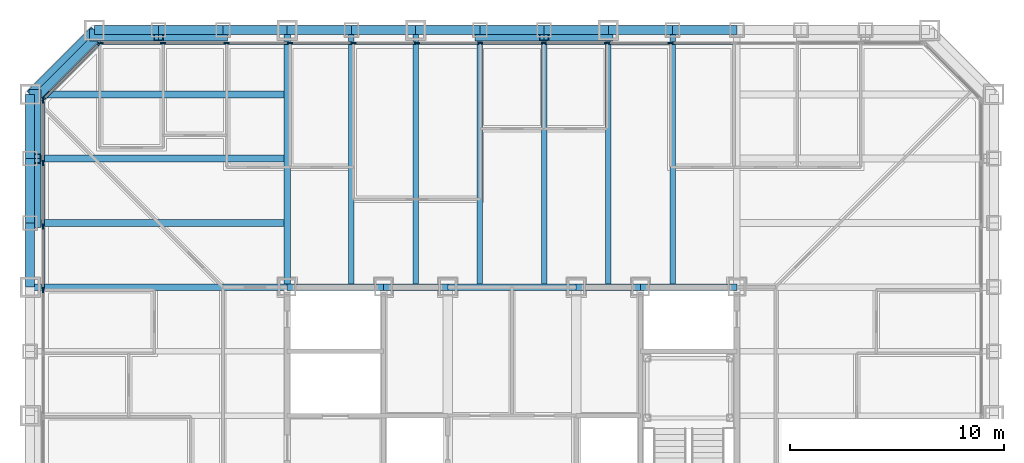
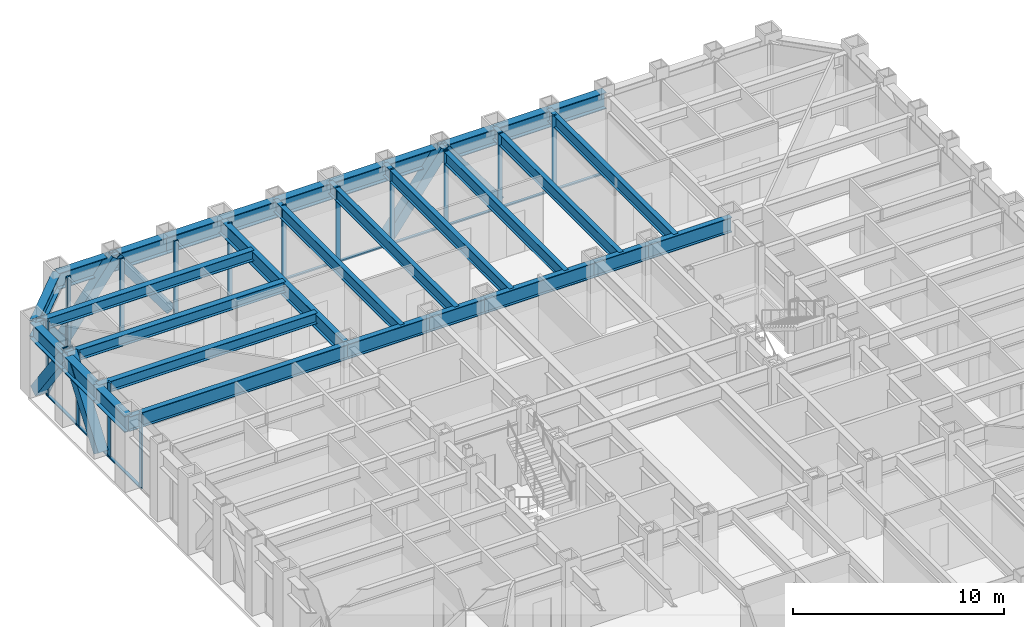
# One storey, part 5 of 17: 37 members, 30 beams, 3 elements without a shape of their own.
"""IFC4 building model written with IfcOpenShell, lengths in metres."""

import ifcopenshell
import ifcopenshell.guid

model = None  # the IFC model being written
_history = None  # IfcOwnerHistory: only IFC2X3 demands one
_inside = {}  # id of a spatial element -> (the spatial element, [elements in it])
_under = {}  # id of a project, library or spatial element -> (it, [spatial elements below it])
_declared = {}  # id of a project -> (the project, [libraries it declares])
_typed = {}  # id of a type object -> (the type object, [elements of that type])
_made_of = {}  # id of a material, layer set ... -> (it, [elements and type objects made of it])


def new_model(schema):
    """Start an empty IFC model of exactly this schema.

    Asked for "IFC4X3", IfcOpenShell would pick the latest addendum, in which some entities
    have other attributes; the version numbers below select the first issue.
    IFC2X3 requires an IfcOwnerHistory on every rooted entity: one is made here for all.
    """
    global model, _history
    if schema == "IFC4X3":
        model = ifcopenshell.file(schema_version=(4, 3, 0, 0))
    else:
        model = ifcopenshell.file(schema=schema)
    _inside.clear()
    _under.clear()
    _declared.clear()
    _typed.clear()
    _made_of.clear()
    _history = None
    if model.schema == "IFC2X3":
        org = make("IfcOrganization", Name="unknown")
        user = make(
            "IfcPersonAndOrganization",
            ThePerson=make("IfcPerson", FamilyName="unknown"),
            TheOrganization=org,
        )
        app = make(
            "IfcApplication",
            ApplicationDeveloper=org,
            Version="unknown",
            ApplicationFullName="unknown",
            ApplicationIdentifier="unknown",
        )
        _history = make(
            "IfcOwnerHistory",
            OwningUser=user,
            OwningApplication=app,
            ChangeAction="ADDED",
            CreationDate=0,
        )
    return model


def make(cls, **values):
    """One entity of the class cls with the attributes given. An attribute that is None is left unset."""
    return model.create_entity(
        cls, **{name: value for name, value in values.items() if value is not None}
    )


def rooted(cls, **values):
    """An entity with a GlobalId (a new one), such as an element, a storey or a relation."""
    return make(cls, GlobalId=ifcopenshell.guid.new(), OwnerHistory=_history, **values)


def si_unit(unit_type, name, prefix=None):
    """IfcSIUnit, for example si_unit("LENGTHUNIT", "METRE", prefix="MILLI")."""
    return make("IfcSIUnit", UnitType=unit_type, Prefix=prefix, Name=name)


def assignment(units):
    """IfcUnitAssignment: the units of a project."""
    return None if units is None else make("IfcUnitAssignment", Units=units)


def point(xyz):
    """IfcCartesianPoint."""
    return None if xyz is None else make("IfcCartesianPoint", Coordinates=xyz)


def direction(xyz):
    """IfcDirection."""
    return None if xyz is None else make("IfcDirection", DirectionRatios=xyz)


def frame(location, z_axis=None, x_axis=None):
    """IfcAxis2Placement3D, a coordinate frame: its origin and axes. An axis left out is left unset."""
    return make(
        "IfcAxis2Placement3D",
        Location=point(location),
        Axis=direction(z_axis),
        RefDirection=direction(x_axis),
    )


def frame_2d(location, x_axis=None):
    """IfcAxis2Placement2D, a coordinate frame in the plane: its origin and x axis."""
    return make(
        "IfcAxis2Placement2D", Location=point(location), RefDirection=direction(x_axis)
    )


def origin():
    """The frame at (0, 0, 0) with its axes left unset."""
    return frame((0.0, 0.0, 0.0))


def origin_2d():
    """The frame at (0, 0) in the plane with its x axis left unset."""
    return frame_2d((0.0, 0.0))


def place(relative_to, where):
    """IfcLocalPlacement: puts the frame where relative to a parent placement (None: the world)."""
    return make(
        "IfcLocalPlacement", PlacementRelTo=relative_to, RelativePlacement=where
    )


def context(
    kind, dimensions, precision=None, world=None, true_north=None, identifier=None
):
    """IfcGeometricRepresentationContext, for example the 3D "Model" context."""
    return make(
        "IfcGeometricRepresentationContext",
        ContextIdentifier=identifier,
        ContextType=kind,
        CoordinateSpaceDimension=dimensions,
        Precision=precision,
        WorldCoordinateSystem=world,
        TrueNorth=true_north,
    )


def subcontext(parent, identifier, kind, view, scale=None):
    """IfcGeometricRepresentationSubContext, for example "Body" below "Model"."""
    return make(
        "IfcGeometricRepresentationSubContext",
        ContextIdentifier=identifier,
        ContextType=kind,
        ParentContext=parent,
        TargetScale=scale,
        TargetView=view,
    )


def project(units=None, contexts=None):
    """IfcProject with its units and contexts."""
    return rooted(
        "IfcProject",
        Name="project",
        RepresentationContexts=contexts,
        UnitsInContext=assignment(units),
    )


def spatial(cls, under=None, at=None, **own):
    """A site, building, storey or space (cls), placed at a placement, below another one or the project."""
    s = rooted(cls, ObjectPlacement=at, **own)
    if under is not None:
        _under.setdefault(under.id(), (under, []))[1].append(s)
    return s


def profile(cls, at=None, kind="AREA", **sizes):
    """A parametric profile (cls). Its sizes go by their IFC names, for example OverallWidth=200.0."""
    return make(cls, ProfileType=kind, Position=at, **sizes)


def rectangle(**sizes):
    """IfcRectangleProfileDef."""
    return profile("IfcRectangleProfileDef", **sizes)


def hollow_rectangle(**sizes):
    """IfcRectangleHollowProfileDef."""
    return profile("IfcRectangleHollowProfileDef", **sizes)


def i_section(**sizes):
    """IfcIShapeProfileDef."""
    return profile("IfcIShapeProfileDef", **sizes)


def extrude(swept, where, along, depth):
    """IfcExtrudedAreaSolid: the profile swept, set in the frame where, extruded along a direction by depth."""
    return make(
        "IfcExtrudedAreaSolid",
        SweptArea=swept,
        Position=where,
        ExtrudedDirection=direction(along),
        Depth=depth,
    )


def shape(context_of_items, identifier, shape_type, items):
    """IfcShapeRepresentation: the items that make up one representation, for example the "Body"."""
    return make(
        "IfcShapeRepresentation",
        ContextOfItems=context_of_items,
        RepresentationIdentifier=identifier,
        RepresentationType=shape_type,
        Items=items,
    )


def material(Name=None, Category=None):
    """IfcMaterial."""
    return make("IfcMaterial", Name=Name, Category=Category)


def layer(
    of_material, thickness, ventilated=None, Name=None, Category=None, Priority=None
):
    """IfcMaterialLayer: one layer of a wall or slab, of a material (None: an air gap)."""
    return make(
        "IfcMaterialLayer",
        Material=of_material,
        LayerThickness=thickness,
        IsVentilated=ventilated,
        Name=Name,
        Category=Category,
        Priority=Priority,
    )


def layer_set(layers, Name=None):
    """IfcMaterialLayerSet."""
    return make("IfcMaterialLayerSet", MaterialLayers=layers, LayerSetName=Name)


def material_profile(
    of_material, cross_section, Name=None, Category=None, Priority=None
):
    """IfcMaterialProfile: a cross section and its material."""
    return make(
        "IfcMaterialProfile",
        Name=Name,
        Material=of_material,
        Profile=cross_section,
        Priority=Priority,
        Category=Category,
    )


def profile_set(profiles, Name=None, composite=None):
    """IfcMaterialProfileSet."""
    return make(
        "IfcMaterialProfileSet",
        Name=Name,
        MaterialProfiles=profiles,
        CompositeProfile=composite,
    )


def made_of(thing, what):
    """Note that an element or type object is made of a material, layer set ...; save() writes the relation."""
    if what is not None:
        _made_of.setdefault(what.id(), (what, []))[1].append(thing)
    return thing


def type_object(cls, material=None, **own):
    """A type object (cls), such as IfcWallType, which elements share."""
    return made_of(rooted(cls, **own), material)


def element(
    cls,
    number,
    at=None,
    inside=None,
    cuts=None,
    type_object=None,
    material=None,
    context=None,
    identifier="Body",
    shape_type=None,
    held_by="IfcProductDefinitionShape",
    body=None,
    shapes=None,
    **own,
):
    """One element of the class cls, such as IfcWall. Its Tag is "e" and its number.

    at: its placement. inside: the storey or other place that contains it. cuts: it is an
    opening in that element (IfcRelVoidsElement). A single representation is given by context,
    identifier, shape_type and body (its items); several are given by shapes. held_by: the class
    of the entity that holds the representations. save() writes the other relations.
    """
    e = rooted(cls, Tag="e%d" % number, ObjectPlacement=at, **own)
    if body is not None:
        shapes = [shape(context, identifier, shape_type, body)]
    if shapes is not None:
        e.Representation = make(held_by, Representations=shapes)
    if inside is not None:
        _inside.setdefault(inside.id(), (inside, []))[1].append(e)
    if cuts is not None:
        rooted(
            "IfcRelVoidsElement", RelatingBuildingElement=cuts, RelatedOpeningElement=e
        )
    if type_object is not None:
        _typed.setdefault(type_object.id(), (type_object, []))[1].append(e)
    return made_of(e, material)


def aggregate(whole, parts):
    """IfcRelAggregates: a whole, such as a stair, and the parts it consists of."""
    return rooted("IfcRelAggregates", RelatingObject=whole, RelatedObjects=parts)


def save(model, path):
    """Write the relations noted so far, then the file.

    IfcRelAggregates (storeys below a building ...), IfcRelContainedInSpatialStructure (elements
    in a storey), IfcRelDefinesByType, IfcRelAssociatesMaterial and IfcRelDeclares: one each for
    every whole, place, type object, material and project.
    """
    for whole, parts in _under.values():
        aggregate(whole, parts)
    for where, things in _inside.values():
        rooted(
            "IfcRelContainedInSpatialStructure",
            RelatedElements=things,
            RelatingStructure=where,
        )
    for kind, things in _typed.values():
        rooted("IfcRelDefinesByType", RelatedObjects=things, RelatingType=kind)
    for what, things in _made_of.values():
        rooted("IfcRelAssociatesMaterial", RelatedObjects=things, RelatingMaterial=what)
    for by, libraries in _declared.values():
        rooted("IfcRelDeclares", RelatingContext=by, RelatedDefinitions=libraries)
    model.write(path)


model = new_model("IFC4")

# Units and contexts
model_context = context("Model", 3, precision=1e-05, world=origin(), true_north=direction((0.0, 1.0)))
body_context = subcontext(model_context, "Body", "Model", "MODEL_VIEW")
ifc_project = project(units=[si_unit("LENGTHUNIT", "METRE"), si_unit("AREAUNIT", "SQUARE_METRE"), si_unit("VOLUMEUNIT", "CUBIC_METRE"), si_unit("PLANEANGLEUNIT", "RADIAN"), si_unit("MASSUNIT", "GRAM", prefix="KILO")], contexts=[model_context])

# Site, building, storey
site_placement = place(None, origin())
site = spatial("IfcSite", under=ifc_project, at=site_placement, CompositionType="ELEMENT")
building_placement = place(site_placement, origin())
building = spatial("IfcBuilding", under=site, at=building_placement, Name="Chuquiago Exchange Tower", CompositionType="ELEMENT")
storey_placement = place(building_placement, frame((0.0, 0.0, 46.800048828125)))
storey = spatial("IfcBuildingStorey", under=building, at=storey_placement, Name="L09", CompositionType="ELEMENT", Elevation=46.800048828125)

# Beams
ifc_material_1 = material(Name="Steel ASTM A992", Category="steel")
ifc_material_profile_1 = material_profile(ifc_material_1, i_section(OverallWidth=0.2919921875, OverallDepth=0.8583984375, WebThickness=0.01708984375, FlangeThickness=0.031005859375, at=origin_2d()), Name="W33X169")
ifc_profile_set_1 = profile_set([ifc_material_profile_1], Name="Steel ASTM A992")
beam_type_1 = type_object("IfcBeamType", Name="B3 W33X169", PredefinedType="BEAM", material=ifc_profile_set_1)
beam_1_placement = place(storey_placement, frame((12.0, 33.0, 3.610595703125), z_axis=(1.0, 0.0, 0.0), x_axis=(0.0, 1.0, 0.0)))
element("IfcBeam", 1, at=beam_1_placement, inside=storey, type_object=beam_type_1, Name="CB-L10-12_33-16.5_33", PredefinedType="BEAM", context=body_context, shape_type="SweptSolid", body=[
    extrude(i_section(OverallWidth=0.2919921875, OverallDepth=0.8583984375, WebThickness=0.01708984375, FlangeThickness=0.031005859375, at=origin_2d()), origin(), (0.0, 0.0, 1.0), 4.5),
])
beam_2_placement = place(storey_placement, frame((16.5, 33.0, 3.610595703125), z_axis=(1.0, 0.0, 0.0), x_axis=(0.0, 1.0, 0.0)))
element("IfcBeam", 2, at=beam_2_placement, inside=storey, type_object=beam_type_1, Name="CB-L10-16.5_33-19.5_33", PredefinedType="BEAM", context=body_context, shape_type="SweptSolid", body=[
    extrude(i_section(OverallWidth=0.2919921875, OverallDepth=0.8583984375, WebThickness=0.01708984375, FlangeThickness=0.031005859375, at=origin_2d()), origin(), (0.0, 0.0, 1.0), 3.0),
])
beam_3_placement = place(storey_placement, frame((19.5, 33.0, 3.610595703125), z_axis=(1.0, 0.0, 0.0), x_axis=(0.0, 1.0, 0.0)))
element("IfcBeam", 3, at=beam_3_placement, inside=storey, type_object=beam_type_1, Name="CB-L10-19.5_33-25.5_33", PredefinedType="BEAM", context=body_context, shape_type="SweptSolid", body=[
    extrude(i_section(OverallWidth=0.2919921875, OverallDepth=0.8583984375, WebThickness=0.01708984375, FlangeThickness=0.031005859375, at=origin_2d()), origin(), (0.0, 0.0, 1.0), 6.0),
])
beam_4_placement = place(storey_placement, frame((25.5, 33.0, 3.610595703125), z_axis=(1.0, 0.0, 0.0), x_axis=(0.0, 1.0, 0.0)))
element("IfcBeam", 4, at=beam_4_placement, inside=storey, type_object=beam_type_1, Name="CB-L10-25.5_33-28.5_33", PredefinedType="BEAM", context=body_context, shape_type="SweptSolid", body=[
    extrude(i_section(OverallWidth=0.2919921875, OverallDepth=0.8583984375, WebThickness=0.01708984375, FlangeThickness=0.031005859375, at=origin_2d()), origin(), (0.0, 0.0, 1.0), 3.0),
])
beam_5_placement = place(storey_placement, frame((28.5, 33.0, 3.610595703125), z_axis=(1.0, 0.0, 0.0), x_axis=(0.0, 1.0, 0.0)))
element("IfcBeam", 5, at=beam_5_placement, inside=storey, type_object=beam_type_1, Name="CB-L10-28.5_33-33_33", PredefinedType="BEAM", context=body_context, shape_type="SweptSolid", body=[
    extrude(i_section(OverallWidth=0.2919921875, OverallDepth=0.8583984375, WebThickness=0.01708984375, FlangeThickness=0.031005859375, at=origin_2d()), origin(), (0.0, 0.0, 1.0), 4.5),
])
ifc_material_2 = material(Name="Steel ASTM A992", Category="steel")
ifc_material_profile_2 = material_profile(ifc_material_2, i_section(OverallWidth=0.256591796875, OverallDepth=0.693359375, WebThickness=0.014404296875, FlangeThickness=0.023681640625, at=origin_2d()), Name="W27X114")
ifc_profile_set_2 = profile_set([ifc_material_profile_2], Name="Steel ASTM A992")
beam_type_2 = type_object("IfcBeamType", Name="B4 W27X114", PredefinedType="BEAM", material=ifc_profile_set_2)
for number, where, z_axis, x_axis, name in (
    (6, (15.0, 33.0, 3.693359375), (0.0, 1.0, 0.0), (-1.0, 0.0, 0.0), "FB-L10-infill-15_33-15_45-0"),
    (7, (18.0, 33.0, 3.693359375), (0.0, 1.0, 0.0), (-1.0, 0.0, 0.0), "FB-L10-infill-18_33-18_45-0"),
    (8, (21.0, 33.0, 3.693359375), (0.0, 1.0, 0.0), (-1.0, 0.0, 0.0), "FB-L10-infill-21_33-21_45-0"),
    (9, (24.0, 33.0, 3.693359375), (0.0, 1.0, 0.0), (-1.0, 0.0, 0.0), "FB-L10-infill-24_33-24_45-0"),
    (10, (27.0, 33.0, 3.693359375), (0.0, 1.0, 0.0), (-1.0, 0.0, 0.0), "FB-L10-infill-27_33-27_45-0"),
    (11, (30.0, 33.0, 3.693359375), (0.0, 1.0, 0.0), (-1.0, 0.0, 0.0), "FB-L10-infill-30_33-30_45-0"),
):
    element("IfcBeam", number, at=place(storey_placement, frame(where, z_axis=z_axis, x_axis=x_axis)), inside=storey, type_object=beam_type_2, Name=name, PredefinedType="BEAM", context=body_context, shape_type="SweptSolid", body=[
        extrude(i_section(OverallWidth=0.256591796875, OverallDepth=0.693359375, WebThickness=0.014404296875, FlangeThickness=0.023681640625, at=origin_2d()), origin(), (0.0, 0.0, 1.0), 12.0),
    ])
ifc_material_3 = material(Name="Steel ASTM A992", Category="steel")
ifc_material_profile_3 = material_profile(ifc_material_3, i_section(OverallWidth=0.3251953125, OverallDepth=0.6171875, WebThickness=0.013916015625, FlangeThickness=0.021484375, at=origin_2d()), Name="W24X117")
ifc_profile_set_3 = profile_set([ifc_material_profile_3], Name="Steel ASTM A992")
beam_type_3 = type_object("IfcBeamType", Name="B5 W24X117", PredefinedType="BEAM", material=ifc_profile_set_3)
for number, where, z_axis, x_axis, name in (
    (12, (12.0, 36.0, 3.7314453125), (-1.0, 0.0, 0.0), (0.0, -1.0, 0.0), "FB-L10-corner-12_36--0_36-0"),
    (13, (12.0, 39.0, 3.7314453125), (-1.0, 0.0, 0.0), (0.0, -1.0, 0.0), "FB-L10-corner-12_39--0_39-0"),
    (14, (12.0, 42.0, 3.7314453125), (-1.0, 0.0, 0.0), (0.0, -1.0, 0.0), "FB-L10-corner-12_42--0_42-0"),
):
    element("IfcBeam", number, at=place(storey_placement, frame(where, z_axis=z_axis, x_axis=x_axis)), inside=storey, type_object=beam_type_3, Name=name, PredefinedType="BEAM", context=body_context, shape_type="SweptSolid", body=[
        extrude(i_section(OverallWidth=0.3251953125, OverallDepth=0.6171875, WebThickness=0.013916015625, FlangeThickness=0.021484375, at=origin_2d()), origin(), (0.0, 0.0, 1.0), 12.0),
    ])

# Curtain wall, members
ifc_material_4 = material(Name="Aluminium curtain wall system", Category="aluminium")
ifc_layer_1 = layer(ifc_material_4, 0.25)
ifc_layer_set_1 = layer_set([ifc_layer_1], Name="CW1 trading floor curtain wall")
curtain_wall_type_1 = type_object("IfcCurtainWallType", Name="CW1 trading floor curtain wall", PredefinedType="NOTDEFINED", material=ifc_layer_set_1)
curtain_wall_1_placement = place(storey_placement, origin())
curtain_wall_1 = element("IfcCurtainWall", 15, at=curtain_wall_1_placement, inside=storey, type_object=curtain_wall_type_1, Name="CW1 curtain wall L09", PredefinedType="NOTDEFINED")
ifc_material_5 = material(Name="Aluminium mullion, pale anodised", Category="aluminium")
ifc_material_profile_4 = material_profile(ifc_material_5, rectangle(XDim=0.074951171875, YDim=0.25, at=origin_2d()), Name="AL 75x250")
ifc_profile_set_4 = profile_set([ifc_material_profile_4], Name="Aluminium mullion, pale anodised")
member_type_1 = type_object("IfcMemberType", Name="CW1-M mullion 75x250", PredefinedType="MULLION", material=ifc_profile_set_4)
member_1_placement = place(storey_placement, frame((29.904541015625, 44.39990234375, -0.300048828125), z_axis=(0.0, 0.0, 1.0), x_axis=(0.0, -1.0, 0.0)))
member_1 = element("IfcMember", 16, at=member_1_placement, type_object=member_type_1, Name="CW1 mullion 5", PredefinedType="MULLION", context=body_context, shape_type="SweptSolid", body=[
    extrude(rectangle(XDim=0.074951171875, YDim=0.25, at=origin_2d()), origin(), (0.0, 0.0, 1.0), 4.340087890625),
])
member_2_placement = place(storey_placement, frame((26.942626953125, 44.39990234375, -0.300048828125), z_axis=(0.0, 0.0, 1.0), x_axis=(0.0, -1.0, 0.0)))
member_2 = element("IfcMember", 17, at=member_2_placement, type_object=member_type_1, Name="CW1 mullion 6", PredefinedType="MULLION", context=body_context, shape_type="SweptSolid", body=[
    extrude(rectangle(XDim=0.074951171875, YDim=0.25, at=origin_2d()), origin(), (0.0, 0.0, 1.0), 4.340087890625),
])
member_3_placement = place(storey_placement, frame((23.98095703125, 44.39990234375, -0.300048828125), z_axis=(0.0, 0.0, 1.0), x_axis=(0.0, -1.0, 0.0)))
member_3 = element("IfcMember", 18, at=member_3_placement, type_object=member_type_1, Name="CW1 mullion 7", PredefinedType="MULLION", context=body_context, shape_type="SweptSolid", body=[
    extrude(rectangle(XDim=0.074951171875, YDim=0.25, at=origin_2d()), origin(), (0.0, 0.0, 1.0), 4.340087890625),
])
member_4_placement = place(storey_placement, frame((21.01904296875, 44.39990234375, -0.300048828125), z_axis=(0.0, 0.0, 1.0), x_axis=(0.0, -1.0, 0.0)))
member_4 = element("IfcMember", 19, at=member_4_placement, type_object=member_type_1, Name="CW1 mullion 8", PredefinedType="MULLION", context=body_context, shape_type="SweptSolid", body=[
    extrude(rectangle(XDim=0.074951171875, YDim=0.25, at=origin_2d()), origin(), (0.0, 0.0, 1.0), 4.340087890625),
])
member_5_placement = place(storey_placement, frame((18.057373046875, 44.39990234375, -0.300048828125), z_axis=(0.0, 0.0, 1.0), x_axis=(0.0, -1.0, 0.0)))
member_5 = element("IfcMember", 20, at=member_5_placement, type_object=member_type_1, Name="CW1 mullion 9", PredefinedType="MULLION", context=body_context, shape_type="SweptSolid", body=[
    extrude(rectangle(XDim=0.074951171875, YDim=0.25, at=origin_2d()), origin(), (0.0, 0.0, 1.0), 4.340087890625),
])
member_6_placement = place(storey_placement, frame((15.095458984375, 44.39990234375, -0.300048828125), z_axis=(0.0, 0.0, 1.0), x_axis=(0.0, -1.0, 0.0)))
member_6 = element("IfcMember", 21, at=member_6_placement, type_object=member_type_1, Name="CW1 mullion 10", PredefinedType="MULLION", context=body_context, shape_type="SweptSolid", body=[
    extrude(rectangle(XDim=0.074951171875, YDim=0.25, at=origin_2d()), origin(), (0.0, 0.0, 1.0), 4.340087890625),
])
member_7_placement = place(storey_placement, frame((12.1337890625, 44.39990234375, -0.300048828125), z_axis=(0.0, 0.0, 1.0), x_axis=(0.0, -1.0, 0.0)))
member_7 = element("IfcMember", 22, at=member_7_placement, type_object=member_type_1, Name="CW1 mullion 11", PredefinedType="MULLION", context=body_context, shape_type="SweptSolid", body=[
    extrude(rectangle(XDim=0.074951171875, YDim=0.25, at=origin_2d()), origin(), (0.0, 0.0, 1.0), 4.340087890625),
])
member_8_placement = place(storey_placement, frame((9.172119140625, 44.39990234375, -0.300048828125), z_axis=(0.0, 0.0, 1.0), x_axis=(0.0, -1.0, 0.0)))
member_8 = element("IfcMember", 23, at=member_8_placement, type_object=member_type_1, Name="CW1 mullion 12", PredefinedType="MULLION", context=body_context, shape_type="SweptSolid", body=[
    extrude(rectangle(XDim=0.074951171875, YDim=0.25, at=origin_2d()), origin(), (0.0, 0.0, 1.0), 4.340087890625),
])
member_9_placement = place(storey_placement, frame((6.210205078125, 44.39990234375, -0.300048828125), z_axis=(0.0, 0.0, 1.0), x_axis=(0.0, -1.0, 0.0)))
member_9 = element("IfcMember", 24, at=member_9_placement, type_object=member_type_1, Name="CW1 mullion 13", PredefinedType="MULLION", context=body_context, shape_type="SweptSolid", body=[
    extrude(rectangle(XDim=0.074951171875, YDim=0.25, at=origin_2d()), origin(), (0.0, 0.0, 1.0), 4.340087890625),
])
member_10_placement = place(storey_placement, frame((3.285888671875, 44.39990234375, -0.300048828125), z_axis=(0.0, 0.0, 1.0), x_axis=(0.0, -1.0, 0.0)))
member_10 = element("IfcMember", 25, at=member_10_placement, type_object=member_type_1, Name="CW1 mullion 14", PredefinedType="MULLION", context=body_context, shape_type="SweptSolid", body=[
    extrude(rectangle(XDim=0.074951171875, YDim=0.25, at=origin_2d()), origin(), (0.0, 0.0, 1.0), 4.340087890625),
])

curtain_wall_2_placement = place(storey_placement, origin())
curtain_wall_2 = element("IfcCurtainWall", 26, at=curtain_wall_2_placement, inside=storey, type_object=curtain_wall_type_1, Name="CW1 curtain wall L09", PredefinedType="NOTDEFINED")
member_11_placement = place(storey_placement, frame((0.60009765625, 41.714111328125, -0.300048828125), z_axis=(0.0, 0.0, 1.0), x_axis=(1.0, 0.0, 0.0)))
member_11 = element("IfcMember", 27, at=member_11_placement, type_object=member_type_1, Name="CW1 mullion 1", PredefinedType="MULLION", context=body_context, shape_type="SweptSolid", body=[
    extrude(rectangle(XDim=0.074951171875, YDim=0.25, at=origin_2d()), origin(), (0.0, 0.0, 1.0), 4.340087890625),
])
member_12_placement = place(storey_placement, frame((0.60009765625, 38.789794921875, -0.300048828125), z_axis=(0.0, 0.0, 1.0), x_axis=(1.0, 0.0, 0.0)))
member_12 = element("IfcMember", 28, at=member_12_placement, type_object=member_type_1, Name="CW1 mullion 2", PredefinedType="MULLION", context=body_context, shape_type="SweptSolid", body=[
    extrude(rectangle(XDim=0.074951171875, YDim=0.25, at=origin_2d()), origin(), (0.0, 0.0, 1.0), 4.340087890625),
])
member_13_placement = place(storey_placement, frame((0.60009765625, 35.827880859375, -0.300048828125), z_axis=(0.0, 0.0, 1.0), x_axis=(1.0, 0.0, 0.0)))
member_13 = element("IfcMember", 29, at=member_13_placement, type_object=member_type_1, Name="CW1 mullion 3", PredefinedType="MULLION", context=body_context, shape_type="SweptSolid", body=[
    extrude(rectangle(XDim=0.074951171875, YDim=0.25, at=origin_2d()), origin(), (0.0, 0.0, 1.0), 4.340087890625),
])
member_14_placement = place(storey_placement, frame((0.60009765625, 32.8662109375, -0.300048828125), z_axis=(0.0, 0.0, 1.0), x_axis=(1.0, 0.0, 0.0)))
member_14 = element("IfcMember", 30, at=member_14_placement, type_object=member_type_1, Name="CW1 mullion 4", PredefinedType="MULLION", context=body_context, shape_type="SweptSolid", body=[
    extrude(rectangle(XDim=0.074951171875, YDim=0.25, at=origin_2d()), origin(), (0.0, 0.0, 1.0), 4.340087890625),
])

# Member
ifc_material_6 = material(Name="Aluminium transom, pale anodised", Category="aluminium")
ifc_material_profile_5 = material_profile(ifc_material_6, rectangle(XDim=0.14990234375, YDim=0.074951171875, at=origin_2d()), Name="AL 150x75")
ifc_profile_set_5 = profile_set([ifc_material_profile_5], Name="Aluminium transom, pale anodised")
member_type_2 = type_object("IfcMemberType", Name="CW1-T transom 75x150", PredefinedType="MULLION", material=ifc_profile_set_5)
member_15_placement = place(storey_placement, frame((32.82861328125, 44.39990234375, -0.262451171875), z_axis=(-1.0, 0.0, 0.0), x_axis=(0.0, -1.0, 0.0)))
member_15 = element("IfcMember", 31, at=member_15_placement, type_object=member_type_2, Name="CW1 transom 4.1", PredefinedType="MULLION", context=body_context, shape_type="SweptSolid", body=[
    extrude(rectangle(XDim=0.14990234375, YDim=0.074951171875, at=origin_2d()), origin(), (0.0, 0.0, 1.0), 2.88671875),
])

member_16_placement = place(storey_placement, frame((29.866943359375, 44.39990234375, -0.262451171875), z_axis=(-1.0, 0.0, 0.0), x_axis=(0.0, -1.0, 0.0)))
member_16 = element("IfcMember", 32, at=member_16_placement, type_object=member_type_2, Name="CW1 transom 5.1", PredefinedType="MULLION", context=body_context, shape_type="SweptSolid", body=[
    extrude(rectangle(XDim=0.14990234375, YDim=0.074951171875, at=origin_2d()), origin(), (0.0, 0.0, 1.0), 2.88671875),
])

member_17_placement = place(storey_placement, frame((26.9052734375, 44.39990234375, -0.262451171875), z_axis=(-1.0, 0.0, 0.0), x_axis=(0.0, -1.0, 0.0)))
member_17 = element("IfcMember", 33, at=member_17_placement, type_object=member_type_2, Name="CW1 transom 6.1", PredefinedType="MULLION", context=body_context, shape_type="SweptSolid", body=[
    extrude(rectangle(XDim=0.14990234375, YDim=0.074951171875, at=origin_2d()), origin(), (0.0, 0.0, 1.0), 2.886962890625),
])

member_18_placement = place(storey_placement, frame((23.943359375, 44.39990234375, -0.262451171875), z_axis=(-1.0, 0.0, 0.0), x_axis=(0.0, -1.0, 0.0)))
member_18 = element("IfcMember", 34, at=member_18_placement, type_object=member_type_2, Name="CW1 transom 7.1", PredefinedType="MULLION", context=body_context, shape_type="SweptSolid", body=[
    extrude(rectangle(XDim=0.14990234375, YDim=0.074951171875, at=origin_2d()), origin(), (0.0, 0.0, 1.0), 2.88671875),
])

member_19_placement = place(storey_placement, frame((20.981689453125, 44.39990234375, -0.262451171875), z_axis=(-1.0, 0.0, 0.0), x_axis=(0.0, -1.0, 0.0)))
member_19 = element("IfcMember", 35, at=member_19_placement, type_object=member_type_2, Name="CW1 transom 8.1", PredefinedType="MULLION", context=body_context, shape_type="SweptSolid", body=[
    extrude(rectangle(XDim=0.14990234375, YDim=0.074951171875, at=origin_2d()), origin(), (0.0, 0.0, 1.0), 2.886962890625),
])

member_20_placement = place(storey_placement, frame((18.019775390625, 44.39990234375, -0.262451171875), z_axis=(-1.0, 0.0, 0.0), x_axis=(0.0, -1.0, 0.0)))
member_20 = element("IfcMember", 36, at=member_20_placement, type_object=member_type_2, Name="CW1 transom 9.1", PredefinedType="MULLION", context=body_context, shape_type="SweptSolid", body=[
    extrude(rectangle(XDim=0.14990234375, YDim=0.074951171875, at=origin_2d()), origin(), (0.0, 0.0, 1.0), 2.88671875),
])

member_21_placement = place(storey_placement, frame((15.05810546875, 44.39990234375, -0.262451171875), z_axis=(-1.0, 0.0, 0.0), x_axis=(0.0, -1.0, 0.0)))
member_21 = element("IfcMember", 37, at=member_21_placement, type_object=member_type_2, Name="CW1 transom 10.1", PredefinedType="MULLION", context=body_context, shape_type="SweptSolid", body=[
    extrude(rectangle(XDim=0.14990234375, YDim=0.074951171875, at=origin_2d()), origin(), (0.0, 0.0, 1.0), 2.88671875),
])

member_22_placement = place(storey_placement, frame((12.09619140625, 44.39990234375, -0.262451171875), z_axis=(-1.0, 0.0, 0.0), x_axis=(0.0, -1.0, 0.0)))
member_22 = element("IfcMember", 38, at=member_22_placement, type_object=member_type_2, Name="CW1 transom 11.1", PredefinedType="MULLION", context=body_context, shape_type="SweptSolid", body=[
    extrude(rectangle(XDim=0.14990234375, YDim=0.074951171875, at=origin_2d()), origin(), (0.0, 0.0, 1.0), 2.88671875),
])

member_23_placement = place(storey_placement, frame((9.134521484375, 44.39990234375, -0.262451171875), z_axis=(-1.0, 0.0, 0.0), x_axis=(0.0, -1.0, 0.0)))
member_23 = element("IfcMember", 39, at=member_23_placement, type_object=member_type_2, Name="CW1 transom 12.1", PredefinedType="MULLION", context=body_context, shape_type="SweptSolid", body=[
    extrude(rectangle(XDim=0.14990234375, YDim=0.074951171875, at=origin_2d()), origin(), (0.0, 0.0, 1.0), 2.88671875),
])

member_24_placement = place(storey_placement, frame((6.1728515625, 44.39990234375, -0.262451171875), z_axis=(-1.0, 0.0, 0.0), x_axis=(0.0, -1.0, 0.0)))
member_24 = element("IfcMember", 40, at=member_24_placement, type_object=member_type_2, Name="CW1 transom 13.1", PredefinedType="MULLION", context=body_context, shape_type="SweptSolid", body=[
    extrude(rectangle(XDim=0.14990234375, YDim=0.074951171875, at=origin_2d()), origin(), (0.0, 0.0, 1.0), 2.849365234375),
])

aggregate(curtain_wall_1, [member_1, member_2, member_3, member_4, member_5, member_6, member_7, member_8, member_9, member_10, member_15, member_16, member_17, member_18, member_19, member_20, member_21, member_22, member_23, member_24])

member_25_placement = place(storey_placement, frame((0.60009765625, 41.676513671875, -0.262451171875), z_axis=(0.0, -1.0, 0.0), x_axis=(1.0, 0.0, 0.0)))
member_25 = element("IfcMember", 41, at=member_25_placement, type_object=member_type_2, Name="CW1 transom 1.1", PredefinedType="MULLION", context=body_context, shape_type="SweptSolid", body=[
    extrude(rectangle(XDim=0.14990234375, YDim=0.074951171875, at=origin_2d()), origin(), (0.0, 0.0, 1.0), 2.849365234375),
])

member_26_placement = place(storey_placement, frame((0.60009765625, 38.752197265625, -0.262451171875), z_axis=(0.0, -1.0, 0.0), x_axis=(1.0, 0.0, 0.0)))
member_26 = element("IfcMember", 42, at=member_26_placement, type_object=member_type_2, Name="CW1 transom 2.1", PredefinedType="MULLION", context=body_context, shape_type="SweptSolid", body=[
    extrude(rectangle(XDim=0.14990234375, YDim=0.074951171875, at=origin_2d()), origin(), (0.0, 0.0, 1.0), 2.88671875),
])

member_27_placement = place(storey_placement, frame((0.60009765625, 35.79052734375, -0.262451171875), z_axis=(0.0, -1.0, 0.0), x_axis=(1.0, 0.0, 0.0)))
member_27 = element("IfcMember", 43, at=member_27_placement, type_object=member_type_2, Name="CW1 transom 3.1", PredefinedType="MULLION", context=body_context, shape_type="SweptSolid", body=[
    extrude(rectangle(XDim=0.14990234375, YDim=0.074951171875, at=origin_2d()), origin(), (0.0, 0.0, 1.0), 2.88671875),
])

aggregate(curtain_wall_2, [member_11, member_12, member_13, member_14, member_25, member_26, member_27])

# Curtain wall, members
ifc_material_7 = material(Name="Aluminium curtain wall system", Category="aluminium")
ifc_layer_2 = layer(ifc_material_7, 0.199951171875)
ifc_layer_set_2 = layer_set([ifc_layer_2], Name="CW3 facet curtain wall")
curtain_wall_type_2 = type_object("IfcCurtainWallType", Name="CW3 facet curtain wall", PredefinedType="NOTDEFINED", material=ifc_layer_set_2)
curtain_wall_3_placement = place(storey_placement, origin())
curtain_wall_3 = element("IfcCurtainWall", 44, at=curtain_wall_3_placement, inside=storey, type_object=curtain_wall_type_2, Name="CW3 curtain wall L09", PredefinedType="NOTDEFINED")
ifc_material_8 = material(Name="Aluminium mullion, pale anodised", Category="aluminium")
ifc_material_profile_6 = material_profile(ifc_material_8, rectangle(XDim=0.06494140625, YDim=0.199951171875, at=origin_2d()), Name="AL 65x200")
ifc_profile_set_6 = profile_set([ifc_material_profile_6], Name="Aluminium mullion, pale anodised")
member_type_3 = type_object("IfcMemberType", Name="CW3-M mullion 65x200", PredefinedType="MULLION", material=ifc_profile_set_6)
member_28_placement = place(storey_placement, frame((3.2255859375, 44.376953125, -0.300048828125), z_axis=(0.0, 0.0, 1.0), x_axis=(0.707106781187, -0.707106781187, 0.0)))
member_28 = element("IfcMember", 45, at=member_28_placement, type_object=member_type_3, Name="CW3 mullion 1", PredefinedType="MULLION", context=body_context, shape_type="SweptSolid", body=[
    extrude(rectangle(XDim=0.06494140625, YDim=0.199951171875, at=origin_2d()), origin(), (0.0, 0.0, 1.0), 4.340087890625),
])
member_29_placement = place(storey_placement, frame((0.623046875, 41.7744140625, -0.300048828125), z_axis=(0.0, 0.0, 1.0), x_axis=(0.707106781187, -0.707106781187, 0.0)))
member_29 = element("IfcMember", 46, at=member_29_placement, type_object=member_type_3, Name="CW3 mullion 2", PredefinedType="MULLION", context=body_context, shape_type="SweptSolid", body=[
    extrude(rectangle(XDim=0.06494140625, YDim=0.199951171875, at=origin_2d()), origin(), (0.0, 0.0, 1.0), 4.340087890625),
])
ifc_material_9 = material(Name="Aluminium transom, pale anodised", Category="aluminium")
ifc_material_profile_7 = material_profile(ifc_material_9, rectangle(XDim=0.139892578125, YDim=0.06494140625, at=origin_2d()), Name="AL 140x65")
ifc_profile_set_7 = profile_set([ifc_material_profile_7], Name="Aluminium transom, pale anodised")
member_type_4 = type_object("IfcMemberType", Name="CW3-T transom 65x140", PredefinedType="MULLION", material=ifc_profile_set_7)
member_30_placement = place(storey_placement, frame((3.20263671875, 44.35400390625, -0.267578125), z_axis=(-0.707106781187, -0.707106781187, 0.0), x_axis=(0.707106781187, -0.707106781187, 0.0)))
member_30 = element("IfcMember", 47, at=member_30_placement, type_object=member_type_4, Name="CW3 transom 1.1", PredefinedType="MULLION", context=body_context, shape_type="SweptSolid", body=[
    extrude(rectangle(XDim=0.139892578125, YDim=0.06494140625, at=origin_2d()), origin(), (0.0, 0.0, 1.0), 3.61572265625),
])
aggregate(curtain_wall_3, [member_28, member_29, member_30])

# Beams
ifc_material_10 = material(Name="Steel ASTM A992", Category="steel")
ifc_material_profile_8 = material_profile(ifc_material_10, i_section(OverallWidth=0.2919921875, OverallDepth=0.8583984375, WebThickness=0.01708984375, FlangeThickness=0.031005859375, at=origin_2d()), Name="W33X169")
ifc_profile_set_8 = profile_set([ifc_material_profile_8], Name="Steel ASTM A992")
beam_type_4 = type_object("IfcBeamType", Name="G2 W33X169", PredefinedType="BEAM", material=ifc_profile_set_8)
for number, where, z_axis, x_axis, name in (
    (48, (12.0, 33.0, 3.610595703125), (0.0, 1.0, 0.0), (-1.0, 0.0, 0.0), "FB-L10-girder-12_33-12_45-0"),
    (49, (12.0, 33.0, 3.610595703125), (-1.0, 0.0, 0.0), (0.0, -1.0, 0.0), "FB-L10-girder-12_33--0_33-0"),
):
    element("IfcBeam", number, at=place(storey_placement, frame(where, z_axis=z_axis, x_axis=x_axis)), inside=storey, type_object=beam_type_4, Name=name, PredefinedType="BEAM", context=body_context, shape_type="SweptSolid", body=[
        extrude(i_section(OverallWidth=0.2919921875, OverallDepth=0.8583984375, WebThickness=0.01708984375, FlangeThickness=0.031005859375, at=origin_2d()), origin(), (0.0, 0.0, 1.0), 12.0),
    ])

# Members
ifc_material_11 = material(Name="Steel ASTM A500 Grade C", Category="steel")
ifc_material_profile_9 = material_profile(ifc_material_11, hollow_rectangle(XDim=0.406494140625, YDim=0.406494140625, WallThickness=0.0146484375, at=origin_2d()), Name="HSS16X16X5/8")
ifc_profile_set_9 = profile_set([ifc_material_profile_9], Name="Steel ASTM A500 Grade C")
member_type_5 = type_object("IfcMemberType", Name="LB4 HSS16X16X5/8", PredefinedType="BRACE", material=ifc_profile_set_9)
member_31_placement = place(storey_placement, frame((3.21337890625, 44.78662109375, 0.0), z_axis=(-0.512077265487, -0.512077265487, 0.689604051861), x_axis=(0.707106781187, -0.707106781187, 0.0)))
element("IfcMember", 50, at=member_31_placement, inside=storey, type_object=member_type_5, Name="LB-L09-3_45-0_42", PredefinedType="BRACE", context=body_context, shape_type="SweptSolid", body=[
    extrude(hollow_rectangle(XDim=0.406494140625, YDim=0.406494140625, WallThickness=0.0146484375, at=origin_2d()), origin(), (0.0, 0.0, 1.0), 5.8583984375),
])
ifc_material_12 = material(Name="Steel ASTM A572 Grade 50", Category="steel")
ifc_material_profile_10 = material_profile(ifc_material_12, hollow_rectangle(XDim=0.550048828125, YDim=0.550048828125, WallThickness=0.044921875, at=origin_2d()), Name="BOX550X550X45")
ifc_profile_set_10 = profile_set([ifc_material_profile_10], Name="Steel ASTM A572 Grade 50")
member_type_6 = type_object("IfcMemberType", Name="MB1 BOX550X550X45", PredefinedType="BRACE", material=ifc_profile_set_10)
for number, where, z_axis, x_axis, name in (
    (51, (27.0, 44.77001953125, 0.0), (-0.596173923302, 0.0, 0.802855312728), (0.0, -1.0, 0.0), "Mega diagonal L09 N face"),
    (52, (21.0, 44.77001953125, 0.0), (0.596173923302, 0.0, 0.802855312728), (0.0, 1.0, 0.0), "Mega diagonal L09 N face"),
    (53, (9.0, 44.77001953125, 0.0), (-0.596173923302, 0.0, 0.802855312728), (0.0, -1.0, 0.0), "Mega diagonal L09 N face"),
    (54, (3.0, 44.77001953125, 0.0), (0.596173923302, 0.0, 0.802855312728), (0.0, 1.0, 0.0), "Mega diagonal L09 N face"),
    (55, (0.22998046875, 42.0, 0.0), (0.0, -0.596173923302, 0.802855312728), (1.0, 0.0, 0.0), "Mega diagonal L09 W face"),
    (56, (0.22998046875, 36.0, 0.0), (0.0, 0.596173923302, 0.802855312728), (-1.0, 0.0, 0.0), "Mega diagonal L09 W face"),
):
    element("IfcMember", number, at=place(storey_placement, frame(where, z_axis=z_axis, x_axis=x_axis)), inside=storey, type_object=member_type_6, Name=name, PredefinedType="BRACE", context=body_context, shape_type="SweptSolid", body=[
        extrude(hollow_rectangle(XDim=0.550048828125, YDim=0.550048828125, WallThickness=0.044921875, at=origin_2d()), origin(), (0.0, 0.0, 1.0), 5.031982421875),
    ])

# Beams
ifc_material_13 = material(Name="Steel ASTM A992", Category="steel")
ifc_material_profile_11 = material_profile(ifc_material_13, i_section(OverallWidth=0.424072265625, OverallDepth=0.947509765625, WebThickness=0.02392578125, FlangeThickness=0.042724609375, at=origin_2d()), Name="W36X302")
ifc_profile_set_11 = profile_set([ifc_material_profile_11], Name="Steel ASTM A992")
beam_type_5 = type_object("IfcBeamType", Name="SP1 W36X302", PredefinedType="SPANDREL", material=ifc_profile_set_11)
for number, where, z_axis, x_axis, name in (
    (57, (33.0, 45.0, 3.566162109375), (-1.0, 0.0, 0.0), (0.0, -1.0, 0.0), "SPB-L10-33_45-30_45"),
    (58, (30.0, 45.0, 3.566162109375), (-1.0, 0.0, 0.0), (0.0, -1.0, 0.0), "SPB-L10-30_45-27_45"),
    (59, (27.0, 45.0, 3.566162109375), (-1.0, 0.0, 0.0), (0.0, -1.0, 0.0), "SPB-L10-27_45-24_45"),
    (60, (24.0, 45.0, 3.566162109375), (-1.0, 0.0, 0.0), (0.0, -1.0, 0.0), "SPB-L10-24_45-21_45"),
    (61, (21.0, 45.0, 3.566162109375), (-1.0, 0.0, 0.0), (0.0, -1.0, 0.0), "SPB-L10-21_45-18_45"),
    (62, (18.0, 45.0, 3.566162109375), (-1.0, 0.0, 0.0), (0.0, -1.0, 0.0), "SPB-L10-18_45-15_45"),
    (63, (15.0, 45.0, 3.566162109375), (-1.0, 0.0, 0.0), (0.0, -1.0, 0.0), "SPB-L10-15_45-12_45"),
    (64, (12.0, 45.0, 3.566162109375), (-1.0, 0.0, 0.0), (0.0, -1.0, 0.0), "SPB-L10-12_45-9_45"),
    (65, (9.0, 45.0, 3.566162109375), (-1.0, 0.0, 0.0), (0.0, -1.0, 0.0), "SPB-L10-9_45-6_45"),
    (66, (6.0, 45.0, 3.566162109375), (-1.0, 0.0, 0.0), (0.0, -1.0, 0.0), "SPB-L10-6_45-3_45"),
):
    element("IfcBeam", number, at=place(storey_placement, frame(where, z_axis=z_axis, x_axis=x_axis)), inside=storey, type_object=beam_type_5, Name=name, PredefinedType="SPANDREL", context=body_context, shape_type="SweptSolid", body=[
        extrude(i_section(OverallWidth=0.424072265625, OverallDepth=0.947509765625, WebThickness=0.02392578125, FlangeThickness=0.042724609375, at=origin_2d()), origin(), (0.0, 0.0, 1.0), 3.0),
    ])
beam_6_placement = place(storey_placement, frame((3.0, 45.0, 3.566162109375), z_axis=(-0.707106781187, -0.707106781187, 0.0), x_axis=(0.707106781187, -0.707106781187, 0.0)))
element("IfcBeam", 67, at=beam_6_placement, inside=storey, type_object=beam_type_5, Name="SPB-L10-3_45-0_42", PredefinedType="SPANDREL", context=body_context, shape_type="SweptSolid", body=[
    extrude(i_section(OverallWidth=0.424072265625, OverallDepth=0.947509765625, WebThickness=0.02392578125, FlangeThickness=0.042724609375, at=origin_2d()), origin(), (0.0, 0.0, 1.0), 4.24267578125),
])
for number, where, z_axis, x_axis, name in (
    (68, (0.0, 42.0, 3.566162109375), (0.0, -1.0, 0.0), (1.0, 0.0, 0.0), "SPB-L10-0_42-0_39"),
    (69, (0.0, 39.0, 3.566162109375), (0.0, -1.0, 0.0), (1.0, 0.0, 0.0), "SPB-L10-0_39-0_36"),
    (70, (0.0, 36.0, 3.566162109375), (0.0, -1.0, 0.0), (1.0, 0.0, 0.0), "SPB-L10-0_36-0_33"),
):
    element("IfcBeam", number, at=place(storey_placement, frame(where, z_axis=z_axis, x_axis=x_axis)), inside=storey, type_object=beam_type_5, Name=name, PredefinedType="SPANDREL", context=body_context, shape_type="SweptSolid", body=[
        extrude(i_section(OverallWidth=0.424072265625, OverallDepth=0.947509765625, WebThickness=0.02392578125, FlangeThickness=0.042724609375, at=origin_2d()), origin(), (0.0, 0.0, 1.0), 3.0),
    ])

save(model, "model.ifc")
